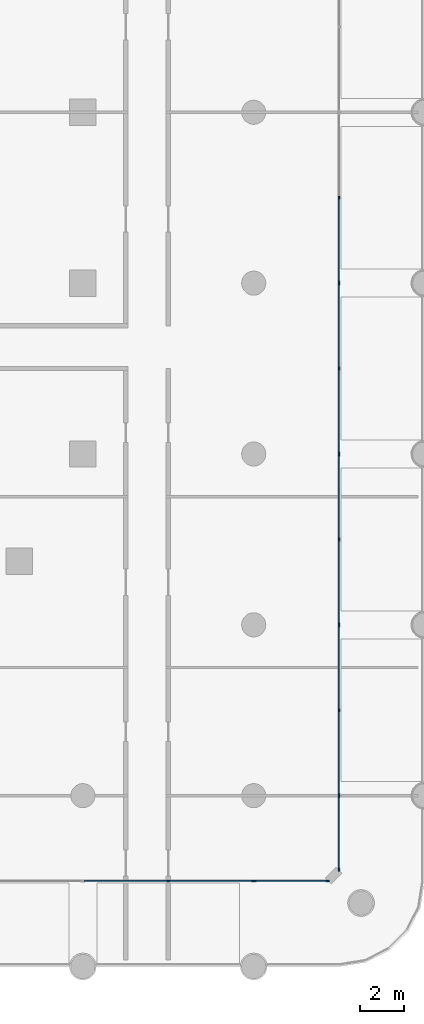
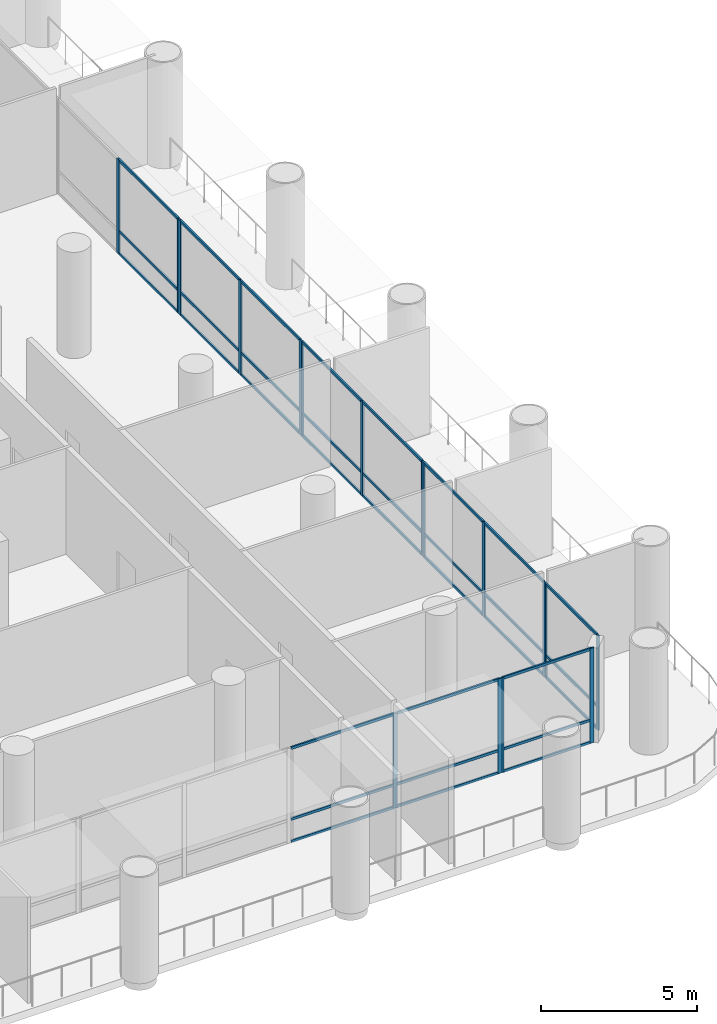
# One storey, part 6 of 23: 50 members, 7 elements without a shape of their own.
"""IFC4 building model written with IfcOpenShell, lengths in metres."""

from ifc_helpers import new_model, si_unit, direction, frame, origin, origin_2d, place, context, subcontext, project, spatial, rectangle, extrude, material, material_profile, profile_set, type_object, element, aggregate, save


model = new_model("IFC4")

# Units and contexts
model_context = context("Model", 3, precision=1e-05, world=origin(), true_north=direction((0.0, 1.0)))
body_context = subcontext(model_context, "Body", "Model", "MODEL_VIEW")
ifc_project = project(units=[si_unit("LENGTHUNIT", "METRE"), si_unit("AREAUNIT", "SQUARE_METRE"), si_unit("VOLUMEUNIT", "CUBIC_METRE"), si_unit("PLANEANGLEUNIT", "RADIAN"), si_unit("MASSUNIT", "GRAM", prefix="KILO")], contexts=[model_context])

# Site, building, storey
site_placement = place(None, origin())
site = spatial("IfcSite", under=ifc_project, at=site_placement, CompositionType="ELEMENT")
building_placement = place(site_placement, origin())
building = spatial("IfcBuilding", under=site, at=building_placement, Name="Ludao Terraces", CompositionType="ELEMENT")
storey_placement = place(building_placement, frame((0.0, 0.0, 10.5)))
storey = spatial("IfcBuildingStorey", under=building, at=storey_placement, Name="L02", CompositionType="ELEMENT", Elevation=10.5)

# Curtain wall, members
ifc_material_1 = material(Name="Aluminium curtain wall with fritted glass", Category="aluminium")
curtain_wall_type = type_object("IfcCurtainWallType", Name="ENV CW1 podium glazing", PredefinedType="NOTDEFINED", material=ifc_material_1)
curtain_wall_1_placement = place(storey_placement, origin())
curtain_wall_1 = element("IfcCurtainWall", 1, at=curtain_wall_1_placement, inside=storey, type_object=curtain_wall_type, Name="CW-L02-S9", PredefinedType="NOTDEFINED")
ifc_material_2 = material(Name="Aluminium 6063-T6", Category="aluminium")
ifc_material_profile_1 = material_profile(ifc_material_2, rectangle(XDim=0.06005859375, YDim=0.14990234375, at=origin_2d()), Name="60 X 150")
ifc_profile_set_1 = profile_set([ifc_material_profile_1], Name="Aluminium 6063-T6")
member_type_1 = type_object("IfcMemberType", Name="ENV CW1 mullion 60x150", PredefinedType="MULLION", material=ifc_profile_set_1)
member_1_placement = place(storey_placement, frame((112.300048828125, 29.89990234375, 0.0), z_axis=(0.0, 0.0, 1.0), x_axis=(0.0, 1.0, 0.0)))
member_1 = element("IfcMember", 2, at=member_1_placement, type_object=member_type_1, Name="CW1 mullion 2", PredefinedType="MULLION", context=body_context, shape_type="SweptSolid", body=[
    extrude(rectangle(XDim=0.06005859375, YDim=0.14990234375, at=origin_2d()), origin(), (0.0, 0.0, 1.0), 3.699951171875),
])
member_2_placement = place(storey_placement, frame((116.169921875, 29.89990234375, 0.0), z_axis=(0.0, 0.0, 1.0), x_axis=(0.0, 1.0, 0.0)))
member_2 = element("IfcMember", 3, at=member_2_placement, type_object=member_type_1, Name="CW1 mullion 3", PredefinedType="MULLION", context=body_context, shape_type="SweptSolid", body=[
    extrude(rectangle(XDim=0.06005859375, YDim=0.14990234375, at=origin_2d()), origin(), (0.0, 0.0, 1.0), 3.699951171875),
])

curtain_wall_2_placement = place(storey_placement, origin())
curtain_wall_2 = element("IfcCurtainWall", 4, at=curtain_wall_2_placement, inside=storey, type_object=curtain_wall_type, Name="CW-L02-S10", PredefinedType="NOTDEFINED")
member_3_placement = place(storey_placement, frame((116.22998046875, 29.89990234375, 0.0), z_axis=(0.0, 0.0, 1.0), x_axis=(0.0, 1.0, 0.0)))
member_3 = element("IfcMember", 5, at=member_3_placement, type_object=member_type_1, Name="CW1 mullion 1", PredefinedType="MULLION", context=body_context, shape_type="SweptSolid", body=[
    extrude(rectangle(XDim=0.06005859375, YDim=0.14990234375, at=origin_2d()), origin(), (0.0, 0.0, 1.0), 3.699951171875),
])
member_4_placement = place(storey_placement, frame((119.570068359375, 29.89990234375, 0.0), z_axis=(0.0, 0.0, 1.0), x_axis=(0.0, 1.0, 0.0)))
member_4 = element("IfcMember", 6, at=member_4_placement, type_object=member_type_1, Name="CW1 mullion 2", PredefinedType="MULLION", context=body_context, shape_type="SweptSolid", body=[
    extrude(rectangle(XDim=0.06005859375, YDim=0.14990234375, at=origin_2d()), origin(), (0.0, 0.0, 1.0), 3.699951171875),
])

curtain_wall_3_placement = place(storey_placement, origin())
curtain_wall_3 = element("IfcCurtainWall", 7, at=curtain_wall_3_placement, inside=storey, type_object=curtain_wall_type, Name="CW-L02-E1", PredefinedType="NOTDEFINED")
member_5_placement = place(storey_placement, frame((120.10009765625, 30.429931640625, 0.0), z_axis=(0.0, 0.0, 1.0), x_axis=(-1.0, 0.0, 0.0)))
member_5 = element("IfcMember", 8, at=member_5_placement, type_object=member_type_1, Name="CW1 mullion 1", PredefinedType="MULLION", context=body_context, shape_type="SweptSolid", body=[
    extrude(rectangle(XDim=0.06005859375, YDim=0.14990234375, at=origin_2d()), origin(), (0.0, 0.0, 1.0), 3.699951171875),
])
member_6_placement = place(storey_placement, frame((120.10009765625, 33.77001953125, 0.0), z_axis=(0.0, 0.0, 1.0), x_axis=(-1.0, 0.0, 0.0)))
member_6 = element("IfcMember", 9, at=member_6_placement, type_object=member_type_1, Name="CW1 mullion 2", PredefinedType="MULLION", context=body_context, shape_type="SweptSolid", body=[
    extrude(rectangle(XDim=0.06005859375, YDim=0.14990234375, at=origin_2d()), origin(), (0.0, 0.0, 1.0), 3.699951171875),
])

curtain_wall_4_placement = place(storey_placement, origin())
curtain_wall_4 = element("IfcCurtainWall", 10, at=curtain_wall_4_placement, inside=storey, type_object=curtain_wall_type, Name="CW-L02-E2", PredefinedType="NOTDEFINED")
member_7_placement = place(storey_placement, frame((120.10009765625, 33.830078125, 0.0), z_axis=(0.0, 0.0, 1.0), x_axis=(-1.0, 0.0, 0.0)))
member_7 = element("IfcMember", 11, at=member_7_placement, type_object=member_type_1, Name="CW1 mullion 1", PredefinedType="MULLION", context=body_context, shape_type="SweptSolid", body=[
    extrude(rectangle(XDim=0.06005859375, YDim=0.14990234375, at=origin_2d()), origin(), (0.0, 0.0, 1.0), 3.699951171875),
])
member_8_placement = place(storey_placement, frame((120.10009765625, 37.699951171875, 0.0), z_axis=(0.0, 0.0, 1.0), x_axis=(-1.0, 0.0, 0.0)))
member_8 = element("IfcMember", 12, at=member_8_placement, type_object=member_type_1, Name="CW1 mullion 2", PredefinedType="MULLION", context=body_context, shape_type="SweptSolid", body=[
    extrude(rectangle(XDim=0.06005859375, YDim=0.14990234375, at=origin_2d()), origin(), (0.0, 0.0, 1.0), 3.699951171875),
])
member_9_placement = place(storey_placement, frame((120.10009765625, 41.570068359375, 0.0), z_axis=(0.0, 0.0, 1.0), x_axis=(-1.0, 0.0, 0.0)))
member_9 = element("IfcMember", 13, at=member_9_placement, type_object=member_type_1, Name="CW1 mullion 3", PredefinedType="MULLION", context=body_context, shape_type="SweptSolid", body=[
    extrude(rectangle(XDim=0.06005859375, YDim=0.14990234375, at=origin_2d()), origin(), (0.0, 0.0, 1.0), 3.699951171875),
])

curtain_wall_5_placement = place(storey_placement, origin())
curtain_wall_5 = element("IfcCurtainWall", 14, at=curtain_wall_5_placement, inside=storey, type_object=curtain_wall_type, Name="CW-L02-E3", PredefinedType="NOTDEFINED")
member_10_placement = place(storey_placement, frame((120.10009765625, 41.6298828125, 0.0), z_axis=(0.0, 0.0, 1.0), x_axis=(-1.0, 0.0, 0.0)))
member_10 = element("IfcMember", 15, at=member_10_placement, type_object=member_type_1, Name="CW1 mullion 1", PredefinedType="MULLION", context=body_context, shape_type="SweptSolid", body=[
    extrude(rectangle(XDim=0.06005859375, YDim=0.14990234375, at=origin_2d()), origin(), (0.0, 0.0, 1.0), 3.699951171875),
])
member_11_placement = place(storey_placement, frame((120.10009765625, 45.5, 0.0), z_axis=(0.0, 0.0, 1.0), x_axis=(-1.0, 0.0, 0.0)))
member_11 = element("IfcMember", 16, at=member_11_placement, type_object=member_type_1, Name="CW1 mullion 2", PredefinedType="MULLION", context=body_context, shape_type="SweptSolid", body=[
    extrude(rectangle(XDim=0.06005859375, YDim=0.14990234375, at=origin_2d()), origin(), (0.0, 0.0, 1.0), 3.699951171875),
])
member_12_placement = place(storey_placement, frame((120.10009765625, 49.3701171875, 0.0), z_axis=(0.0, 0.0, 1.0), x_axis=(-1.0, 0.0, 0.0)))
member_12 = element("IfcMember", 17, at=member_12_placement, type_object=member_type_1, Name="CW1 mullion 3", PredefinedType="MULLION", context=body_context, shape_type="SweptSolid", body=[
    extrude(rectangle(XDim=0.06005859375, YDim=0.14990234375, at=origin_2d()), origin(), (0.0, 0.0, 1.0), 3.699951171875),
])

curtain_wall_6_placement = place(storey_placement, origin())
curtain_wall_6 = element("IfcCurtainWall", 18, at=curtain_wall_6_placement, inside=storey, type_object=curtain_wall_type, Name="CW-L02-E4", PredefinedType="NOTDEFINED")
member_13_placement = place(storey_placement, frame((120.10009765625, 49.429931640625, 0.0), z_axis=(0.0, 0.0, 1.0), x_axis=(-1.0, 0.0, 0.0)))
member_13 = element("IfcMember", 19, at=member_13_placement, type_object=member_type_1, Name="CW1 mullion 1", PredefinedType="MULLION", context=body_context, shape_type="SweptSolid", body=[
    extrude(rectangle(XDim=0.06005859375, YDim=0.14990234375, at=origin_2d()), origin(), (0.0, 0.0, 1.0), 3.699951171875),
])
member_14_placement = place(storey_placement, frame((120.10009765625, 53.300048828125, 0.0), z_axis=(0.0, 0.0, 1.0), x_axis=(-1.0, 0.0, 0.0)))
member_14 = element("IfcMember", 20, at=member_14_placement, type_object=member_type_1, Name="CW1 mullion 2", PredefinedType="MULLION", context=body_context, shape_type="SweptSolid", body=[
    extrude(rectangle(XDim=0.06005859375, YDim=0.14990234375, at=origin_2d()), origin(), (0.0, 0.0, 1.0), 3.699951171875),
])
member_15_placement = place(storey_placement, frame((120.10009765625, 57.169921875, 0.0), z_axis=(0.0, 0.0, 1.0), x_axis=(-1.0, 0.0, 0.0)))
member_15 = element("IfcMember", 21, at=member_15_placement, type_object=member_type_1, Name="CW1 mullion 3", PredefinedType="MULLION", context=body_context, shape_type="SweptSolid", body=[
    extrude(rectangle(XDim=0.06005859375, YDim=0.14990234375, at=origin_2d()), origin(), (0.0, 0.0, 1.0), 3.699951171875),
])

curtain_wall_7_placement = place(storey_placement, origin())
curtain_wall_7 = element("IfcCurtainWall", 22, at=curtain_wall_7_placement, inside=storey, type_object=curtain_wall_type, Name="CW-L02-E5", PredefinedType="NOTDEFINED")
member_16_placement = place(storey_placement, frame((120.10009765625, 57.22998046875, 0.0), z_axis=(0.0, 0.0, 1.0), x_axis=(-1.0, 0.0, 0.0)))
member_16 = element("IfcMember", 23, at=member_16_placement, type_object=member_type_1, Name="CW1 mullion 1", PredefinedType="MULLION", context=body_context, shape_type="SweptSolid", body=[
    extrude(rectangle(XDim=0.06005859375, YDim=0.14990234375, at=origin_2d()), origin(), (0.0, 0.0, 1.0), 3.699951171875),
])
member_17_placement = place(storey_placement, frame((120.10009765625, 61.10009765625, 0.0), z_axis=(0.0, 0.0, 1.0), x_axis=(-1.0, 0.0, 0.0)))
member_17 = element("IfcMember", 24, at=member_17_placement, type_object=member_type_1, Name="CW1 mullion 2", PredefinedType="MULLION", context=body_context, shape_type="SweptSolid", body=[
    extrude(rectangle(XDim=0.06005859375, YDim=0.14990234375, at=origin_2d()), origin(), (0.0, 0.0, 1.0), 3.699951171875),
])

# Member
ifc_material_profile_2 = material_profile(ifc_material_2, rectangle(XDim=0.06005859375, YDim=0.10009765625, at=origin_2d()), Name="60 X 100")
ifc_profile_set_2 = profile_set([ifc_material_profile_2], Name="Aluminium 6063-T6")
member_type_2 = type_object("IfcMemberType", Name="ENV CW1 transom 60x100", PredefinedType="USERDEFINED", material=ifc_profile_set_2)
member_18_placement = place(storey_placement, frame((108.4599609375, 29.89990234375, 0.030029296875), z_axis=(1.0, 0.0, 0.0), x_axis=(0.0, 1.0, 0.0)))
member_18 = element("IfcMember", 25, at=member_18_placement, type_object=member_type_2, Name="CW1 transom 1.1", ObjectType="TRANSOM", PredefinedType="USERDEFINED", context=body_context, shape_type="SweptSolid", body=[
    extrude(rectangle(XDim=0.06005859375, YDim=0.10009765625, at=origin_2d()), origin(), (0.0, 0.0, 1.0), 3.81005859375),
])

member_19_placement = place(storey_placement, frame((108.4599609375, 29.89990234375, 0.89990234375), z_axis=(1.0, 0.0, 0.0), x_axis=(0.0, 1.0, 0.0)))
member_19 = element("IfcMember", 26, at=member_19_placement, type_object=member_type_2, Name="CW1 transom 1.2", ObjectType="TRANSOM", PredefinedType="USERDEFINED", context=body_context, shape_type="SweptSolid", body=[
    extrude(rectangle(XDim=0.06005859375, YDim=0.10009765625, at=origin_2d()), origin(), (0.0, 0.0, 1.0), 3.81005859375),
])

member_20_placement = place(storey_placement, frame((108.4599609375, 29.89990234375, 3.669921875), z_axis=(1.0, 0.0, 0.0), x_axis=(0.0, 1.0, 0.0)))
member_20 = element("IfcMember", 27, at=member_20_placement, type_object=member_type_2, Name="CW1 transom 1.3", ObjectType="TRANSOM", PredefinedType="USERDEFINED", context=body_context, shape_type="SweptSolid", body=[
    extrude(rectangle(XDim=0.06005859375, YDim=0.10009765625, at=origin_2d()), origin(), (0.0, 0.0, 1.0), 3.81005859375),
])

member_21_placement = place(storey_placement, frame((112.330078125, 29.89990234375, 0.030029296875), z_axis=(1.0, 0.0, 0.0), x_axis=(0.0, 1.0, 0.0)))
member_21 = element("IfcMember", 28, at=member_21_placement, type_object=member_type_2, Name="CW1 transom 2.1", ObjectType="TRANSOM", PredefinedType="USERDEFINED", context=body_context, shape_type="SweptSolid", body=[
    extrude(rectangle(XDim=0.06005859375, YDim=0.10009765625, at=origin_2d()), origin(), (0.0, 0.0, 1.0), 3.809814453125),
])

member_22_placement = place(storey_placement, frame((112.330078125, 29.89990234375, 0.89990234375), z_axis=(1.0, 0.0, 0.0), x_axis=(0.0, 1.0, 0.0)))
member_22 = element("IfcMember", 29, at=member_22_placement, type_object=member_type_2, Name="CW1 transom 2.2", ObjectType="TRANSOM", PredefinedType="USERDEFINED", context=body_context, shape_type="SweptSolid", body=[
    extrude(rectangle(XDim=0.06005859375, YDim=0.10009765625, at=origin_2d()), origin(), (0.0, 0.0, 1.0), 3.809814453125),
])

member_23_placement = place(storey_placement, frame((112.330078125, 29.89990234375, 3.669921875), z_axis=(1.0, 0.0, 0.0), x_axis=(0.0, 1.0, 0.0)))
member_23 = element("IfcMember", 30, at=member_23_placement, type_object=member_type_2, Name="CW1 transom 2.3", ObjectType="TRANSOM", PredefinedType="USERDEFINED", context=body_context, shape_type="SweptSolid", body=[
    extrude(rectangle(XDim=0.06005859375, YDim=0.10009765625, at=origin_2d()), origin(), (0.0, 0.0, 1.0), 3.809814453125),
])

aggregate(curtain_wall_1, [member_1, member_2, member_18, member_19, member_20, member_21, member_22, member_23])

member_24_placement = place(storey_placement, frame((116.260009765625, 29.89990234375, 0.030029296875), z_axis=(1.0, 0.0, 0.0), x_axis=(0.0, 1.0, 0.0)))
member_24 = element("IfcMember", 31, at=member_24_placement, type_object=member_type_2, Name="CW1 transom 1.1", ObjectType="TRANSOM", PredefinedType="USERDEFINED", context=body_context, shape_type="SweptSolid", body=[
    extrude(rectangle(XDim=0.06005859375, YDim=0.10009765625, at=origin_2d()), origin(), (0.0, 0.0, 1.0), 3.280029296875),
])

member_25_placement = place(storey_placement, frame((116.260009765625, 29.89990234375, 0.89990234375), z_axis=(1.0, 0.0, 0.0), x_axis=(0.0, 1.0, 0.0)))
member_25 = element("IfcMember", 32, at=member_25_placement, type_object=member_type_2, Name="CW1 transom 1.2", ObjectType="TRANSOM", PredefinedType="USERDEFINED", context=body_context, shape_type="SweptSolid", body=[
    extrude(rectangle(XDim=0.06005859375, YDim=0.10009765625, at=origin_2d()), origin(), (0.0, 0.0, 1.0), 3.280029296875),
])

member_26_placement = place(storey_placement, frame((116.260009765625, 29.89990234375, 3.669921875), z_axis=(1.0, 0.0, 0.0), x_axis=(0.0, 1.0, 0.0)))
member_26 = element("IfcMember", 33, at=member_26_placement, type_object=member_type_2, Name="CW1 transom 1.3", ObjectType="TRANSOM", PredefinedType="USERDEFINED", context=body_context, shape_type="SweptSolid", body=[
    extrude(rectangle(XDim=0.06005859375, YDim=0.10009765625, at=origin_2d()), origin(), (0.0, 0.0, 1.0), 3.280029296875),
])

aggregate(curtain_wall_2, [member_3, member_4, member_24, member_25, member_26])

member_27_placement = place(storey_placement, frame((120.10009765625, 30.4599609375, 0.030029296875), z_axis=(0.0, 1.0, 0.0), x_axis=(-1.0, 0.0, 0.0)))
member_27 = element("IfcMember", 34, at=member_27_placement, type_object=member_type_2, Name="CW1 transom 1.1", ObjectType="TRANSOM", PredefinedType="USERDEFINED", context=body_context, shape_type="SweptSolid", body=[
    extrude(rectangle(XDim=0.06005859375, YDim=0.10009765625, at=origin_2d()), origin(), (0.0, 0.0, 1.0), 3.280029296875),
])

member_28_placement = place(storey_placement, frame((120.10009765625, 30.4599609375, 0.89990234375), z_axis=(0.0, 1.0, 0.0), x_axis=(-1.0, 0.0, 0.0)))
member_28 = element("IfcMember", 35, at=member_28_placement, type_object=member_type_2, Name="CW1 transom 1.2", ObjectType="TRANSOM", PredefinedType="USERDEFINED", context=body_context, shape_type="SweptSolid", body=[
    extrude(rectangle(XDim=0.06005859375, YDim=0.10009765625, at=origin_2d()), origin(), (0.0, 0.0, 1.0), 3.280029296875),
])

member_29_placement = place(storey_placement, frame((120.10009765625, 30.4599609375, 3.669921875), z_axis=(0.0, 1.0, 0.0), x_axis=(-1.0, 0.0, 0.0)))
member_29 = element("IfcMember", 36, at=member_29_placement, type_object=member_type_2, Name="CW1 transom 1.3", ObjectType="TRANSOM", PredefinedType="USERDEFINED", context=body_context, shape_type="SweptSolid", body=[
    extrude(rectangle(XDim=0.06005859375, YDim=0.10009765625, at=origin_2d()), origin(), (0.0, 0.0, 1.0), 3.280029296875),
])

aggregate(curtain_wall_3, [member_5, member_6, member_27, member_28, member_29])

member_30_placement = place(storey_placement, frame((120.10009765625, 33.860107421875, 0.030029296875), z_axis=(0.0, 1.0, 0.0), x_axis=(-1.0, 0.0, 0.0)))
member_30 = element("IfcMember", 37, at=member_30_placement, type_object=member_type_2, Name="CW1 transom 1.1", ObjectType="TRANSOM", PredefinedType="USERDEFINED", context=body_context, shape_type="SweptSolid", body=[
    extrude(rectangle(XDim=0.06005859375, YDim=0.10009765625, at=origin_2d()), origin(), (0.0, 0.0, 1.0), 3.809814453125),
])

member_31_placement = place(storey_placement, frame((120.10009765625, 33.860107421875, 0.89990234375), z_axis=(0.0, 1.0, 0.0), x_axis=(-1.0, 0.0, 0.0)))
member_31 = element("IfcMember", 38, at=member_31_placement, type_object=member_type_2, Name="CW1 transom 1.2", ObjectType="TRANSOM", PredefinedType="USERDEFINED", context=body_context, shape_type="SweptSolid", body=[
    extrude(rectangle(XDim=0.06005859375, YDim=0.10009765625, at=origin_2d()), origin(), (0.0, 0.0, 1.0), 3.809814453125),
])

member_32_placement = place(storey_placement, frame((120.10009765625, 33.860107421875, 3.669921875), z_axis=(0.0, 1.0, 0.0), x_axis=(-1.0, 0.0, 0.0)))
member_32 = element("IfcMember", 39, at=member_32_placement, type_object=member_type_2, Name="CW1 transom 1.3", ObjectType="TRANSOM", PredefinedType="USERDEFINED", context=body_context, shape_type="SweptSolid", body=[
    extrude(rectangle(XDim=0.06005859375, YDim=0.10009765625, at=origin_2d()), origin(), (0.0, 0.0, 1.0), 3.809814453125),
])

member_33_placement = place(storey_placement, frame((120.10009765625, 37.72998046875, 0.030029296875), z_axis=(0.0, 1.0, 0.0), x_axis=(-1.0, 0.0, 0.0)))
member_33 = element("IfcMember", 40, at=member_33_placement, type_object=member_type_2, Name="CW1 transom 2.1", ObjectType="TRANSOM", PredefinedType="USERDEFINED", context=body_context, shape_type="SweptSolid", body=[
    extrude(rectangle(XDim=0.06005859375, YDim=0.10009765625, at=origin_2d()), origin(), (0.0, 0.0, 1.0), 3.81005859375),
])

member_34_placement = place(storey_placement, frame((120.10009765625, 37.72998046875, 0.89990234375), z_axis=(0.0, 1.0, 0.0), x_axis=(-1.0, 0.0, 0.0)))
member_34 = element("IfcMember", 41, at=member_34_placement, type_object=member_type_2, Name="CW1 transom 2.2", ObjectType="TRANSOM", PredefinedType="USERDEFINED", context=body_context, shape_type="SweptSolid", body=[
    extrude(rectangle(XDim=0.06005859375, YDim=0.10009765625, at=origin_2d()), origin(), (0.0, 0.0, 1.0), 3.81005859375),
])

member_35_placement = place(storey_placement, frame((120.10009765625, 37.72998046875, 3.669921875), z_axis=(0.0, 1.0, 0.0), x_axis=(-1.0, 0.0, 0.0)))
member_35 = element("IfcMember", 42, at=member_35_placement, type_object=member_type_2, Name="CW1 transom 2.3", ObjectType="TRANSOM", PredefinedType="USERDEFINED", context=body_context, shape_type="SweptSolid", body=[
    extrude(rectangle(XDim=0.06005859375, YDim=0.10009765625, at=origin_2d()), origin(), (0.0, 0.0, 1.0), 3.81005859375),
])

aggregate(curtain_wall_4, [member_7, member_8, member_9, member_30, member_31, member_32, member_33, member_34, member_35])

member_36_placement = place(storey_placement, frame((120.10009765625, 41.659912109375, 0.030029296875), z_axis=(0.0, 1.0, 0.0), x_axis=(-1.0, 0.0, 0.0)))
member_36 = element("IfcMember", 43, at=member_36_placement, type_object=member_type_2, Name="CW1 transom 1.1", ObjectType="TRANSOM", PredefinedType="USERDEFINED", context=body_context, shape_type="SweptSolid", body=[
    extrude(rectangle(XDim=0.06005859375, YDim=0.10009765625, at=origin_2d()), origin(), (0.0, 0.0, 1.0), 3.81005859375),
])

member_37_placement = place(storey_placement, frame((120.10009765625, 41.659912109375, 0.89990234375), z_axis=(0.0, 1.0, 0.0), x_axis=(-1.0, 0.0, 0.0)))
member_37 = element("IfcMember", 44, at=member_37_placement, type_object=member_type_2, Name="CW1 transom 1.2", ObjectType="TRANSOM", PredefinedType="USERDEFINED", context=body_context, shape_type="SweptSolid", body=[
    extrude(rectangle(XDim=0.06005859375, YDim=0.10009765625, at=origin_2d()), origin(), (0.0, 0.0, 1.0), 3.81005859375),
])

member_38_placement = place(storey_placement, frame((120.10009765625, 41.659912109375, 3.669921875), z_axis=(0.0, 1.0, 0.0), x_axis=(-1.0, 0.0, 0.0)))
member_38 = element("IfcMember", 45, at=member_38_placement, type_object=member_type_2, Name="CW1 transom 1.3", ObjectType="TRANSOM", PredefinedType="USERDEFINED", context=body_context, shape_type="SweptSolid", body=[
    extrude(rectangle(XDim=0.06005859375, YDim=0.10009765625, at=origin_2d()), origin(), (0.0, 0.0, 1.0), 3.81005859375),
])

member_39_placement = place(storey_placement, frame((120.10009765625, 45.530029296875, 0.030029296875), z_axis=(0.0, 1.0, 0.0), x_axis=(-1.0, 0.0, 0.0)))
member_39 = element("IfcMember", 46, at=member_39_placement, type_object=member_type_2, Name="CW1 transom 2.1", ObjectType="TRANSOM", PredefinedType="USERDEFINED", context=body_context, shape_type="SweptSolid", body=[
    extrude(rectangle(XDim=0.06005859375, YDim=0.10009765625, at=origin_2d()), origin(), (0.0, 0.0, 1.0), 3.81005859375),
])

member_40_placement = place(storey_placement, frame((120.10009765625, 45.530029296875, 0.89990234375), z_axis=(0.0, 1.0, 0.0), x_axis=(-1.0, 0.0, 0.0)))
member_40 = element("IfcMember", 47, at=member_40_placement, type_object=member_type_2, Name="CW1 transom 2.2", ObjectType="TRANSOM", PredefinedType="USERDEFINED", context=body_context, shape_type="SweptSolid", body=[
    extrude(rectangle(XDim=0.06005859375, YDim=0.10009765625, at=origin_2d()), origin(), (0.0, 0.0, 1.0), 3.81005859375),
])

member_41_placement = place(storey_placement, frame((120.10009765625, 45.530029296875, 3.669921875), z_axis=(0.0, 1.0, 0.0), x_axis=(-1.0, 0.0, 0.0)))
member_41 = element("IfcMember", 48, at=member_41_placement, type_object=member_type_2, Name="CW1 transom 2.3", ObjectType="TRANSOM", PredefinedType="USERDEFINED", context=body_context, shape_type="SweptSolid", body=[
    extrude(rectangle(XDim=0.06005859375, YDim=0.10009765625, at=origin_2d()), origin(), (0.0, 0.0, 1.0), 3.81005859375),
])

aggregate(curtain_wall_5, [member_10, member_11, member_12, member_36, member_37, member_38, member_39, member_40, member_41])

member_42_placement = place(storey_placement, frame((120.10009765625, 49.4599609375, 0.030029296875), z_axis=(0.0, 1.0, 0.0), x_axis=(-1.0, 0.0, 0.0)))
member_42 = element("IfcMember", 49, at=member_42_placement, type_object=member_type_2, Name="CW1 transom 1.1", ObjectType="TRANSOM", PredefinedType="USERDEFINED", context=body_context, shape_type="SweptSolid", body=[
    extrude(rectangle(XDim=0.06005859375, YDim=0.10009765625, at=origin_2d()), origin(), (0.0, 0.0, 1.0), 3.81005859375),
])

member_43_placement = place(storey_placement, frame((120.10009765625, 49.4599609375, 0.89990234375), z_axis=(0.0, 1.0, 0.0), x_axis=(-1.0, 0.0, 0.0)))
member_43 = element("IfcMember", 50, at=member_43_placement, type_object=member_type_2, Name="CW1 transom 1.2", ObjectType="TRANSOM", PredefinedType="USERDEFINED", context=body_context, shape_type="SweptSolid", body=[
    extrude(rectangle(XDim=0.06005859375, YDim=0.10009765625, at=origin_2d()), origin(), (0.0, 0.0, 1.0), 3.81005859375),
])

member_44_placement = place(storey_placement, frame((120.10009765625, 49.4599609375, 3.669921875), z_axis=(0.0, 1.0, 0.0), x_axis=(-1.0, 0.0, 0.0)))
member_44 = element("IfcMember", 51, at=member_44_placement, type_object=member_type_2, Name="CW1 transom 1.3", ObjectType="TRANSOM", PredefinedType="USERDEFINED", context=body_context, shape_type="SweptSolid", body=[
    extrude(rectangle(XDim=0.06005859375, YDim=0.10009765625, at=origin_2d()), origin(), (0.0, 0.0, 1.0), 3.81005859375),
])

member_45_placement = place(storey_placement, frame((120.10009765625, 53.330078125, 0.030029296875), z_axis=(0.0, 1.0, 0.0), x_axis=(-1.0, 0.0, 0.0)))
member_45 = element("IfcMember", 52, at=member_45_placement, type_object=member_type_2, Name="CW1 transom 2.1", ObjectType="TRANSOM", PredefinedType="USERDEFINED", context=body_context, shape_type="SweptSolid", body=[
    extrude(rectangle(XDim=0.06005859375, YDim=0.10009765625, at=origin_2d()), origin(), (0.0, 0.0, 1.0), 3.809814453125),
])

member_46_placement = place(storey_placement, frame((120.10009765625, 53.330078125, 0.89990234375), z_axis=(0.0, 1.0, 0.0), x_axis=(-1.0, 0.0, 0.0)))
member_46 = element("IfcMember", 53, at=member_46_placement, type_object=member_type_2, Name="CW1 transom 2.2", ObjectType="TRANSOM", PredefinedType="USERDEFINED", context=body_context, shape_type="SweptSolid", body=[
    extrude(rectangle(XDim=0.06005859375, YDim=0.10009765625, at=origin_2d()), origin(), (0.0, 0.0, 1.0), 3.809814453125),
])

member_47_placement = place(storey_placement, frame((120.10009765625, 53.330078125, 3.669921875), z_axis=(0.0, 1.0, 0.0), x_axis=(-1.0, 0.0, 0.0)))
member_47 = element("IfcMember", 54, at=member_47_placement, type_object=member_type_2, Name="CW1 transom 2.3", ObjectType="TRANSOM", PredefinedType="USERDEFINED", context=body_context, shape_type="SweptSolid", body=[
    extrude(rectangle(XDim=0.06005859375, YDim=0.10009765625, at=origin_2d()), origin(), (0.0, 0.0, 1.0), 3.809814453125),
])

aggregate(curtain_wall_6, [member_13, member_14, member_15, member_42, member_43, member_44, member_45, member_46, member_47])

member_48_placement = place(storey_placement, frame((120.10009765625, 57.260009765625, 0.030029296875), z_axis=(0.0, 1.0, 0.0), x_axis=(-1.0, 0.0, 0.0)))
member_48 = element("IfcMember", 55, at=member_48_placement, type_object=member_type_2, Name="CW1 transom 1.1", ObjectType="TRANSOM", PredefinedType="USERDEFINED", context=body_context, shape_type="SweptSolid", body=[
    extrude(rectangle(XDim=0.06005859375, YDim=0.10009765625, at=origin_2d()), origin(), (0.0, 0.0, 1.0), 3.81005859375),
])

member_49_placement = place(storey_placement, frame((120.10009765625, 57.260009765625, 0.89990234375), z_axis=(0.0, 1.0, 0.0), x_axis=(-1.0, 0.0, 0.0)))
member_49 = element("IfcMember", 56, at=member_49_placement, type_object=member_type_2, Name="CW1 transom 1.2", ObjectType="TRANSOM", PredefinedType="USERDEFINED", context=body_context, shape_type="SweptSolid", body=[
    extrude(rectangle(XDim=0.06005859375, YDim=0.10009765625, at=origin_2d()), origin(), (0.0, 0.0, 1.0), 3.81005859375),
])

member_50_placement = place(storey_placement, frame((120.10009765625, 57.260009765625, 3.669921875), z_axis=(0.0, 1.0, 0.0), x_axis=(-1.0, 0.0, 0.0)))
member_50 = element("IfcMember", 57, at=member_50_placement, type_object=member_type_2, Name="CW1 transom 1.3", ObjectType="TRANSOM", PredefinedType="USERDEFINED", context=body_context, shape_type="SweptSolid", body=[
    extrude(rectangle(XDim=0.06005859375, YDim=0.10009765625, at=origin_2d()), origin(), (0.0, 0.0, 1.0), 3.81005859375),
])

aggregate(curtain_wall_7, [member_16, member_17, member_48, member_49, member_50])

save(model, "model.ifc")
